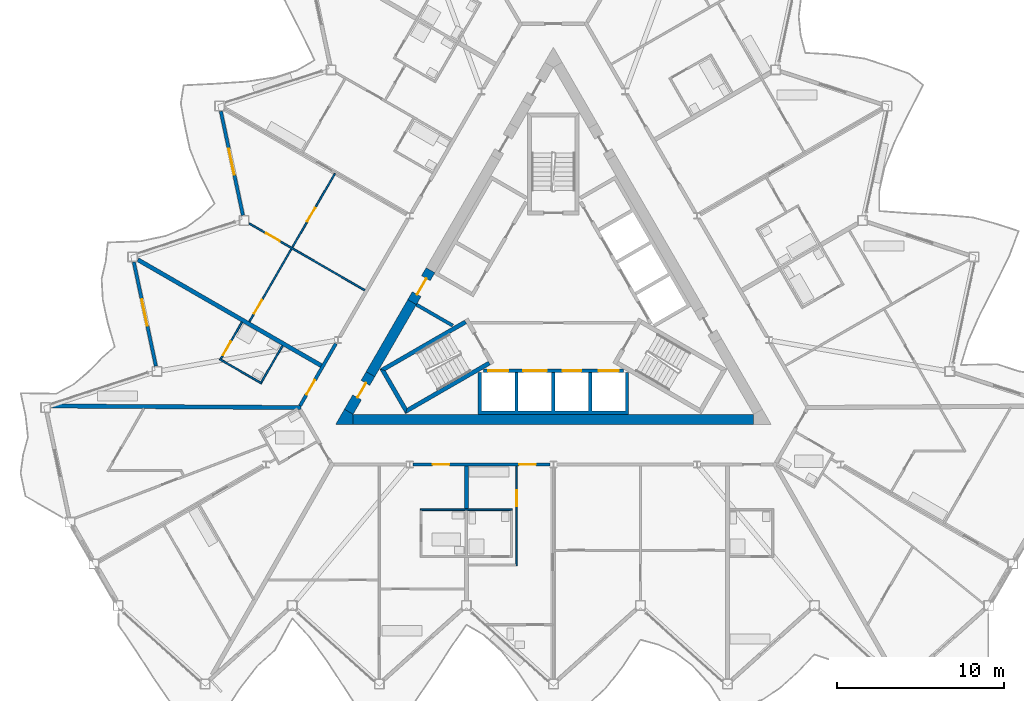
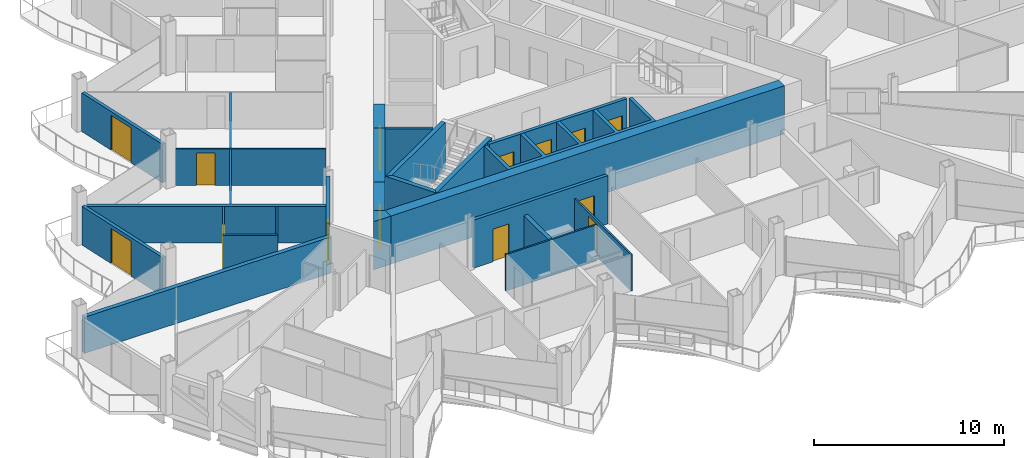
# One storey, part 13 of 26: 25 walls, 16 doors, 16 openings.
"""IFC4 building model written with IfcOpenShell, lengths in metres."""

import ifcopenshell
import ifcopenshell.guid

model = None  # the IFC model being written
_history = None  # IfcOwnerHistory: only IFC2X3 demands one
_inside = {}  # id of a spatial element -> (the spatial element, [elements in it])
_under = {}  # id of a project, library or spatial element -> (it, [spatial elements below it])
_declared = {}  # id of a project -> (the project, [libraries it declares])
_typed = {}  # id of a type object -> (the type object, [elements of that type])
_made_of = {}  # id of a material, layer set ... -> (it, [elements and type objects made of it])


def new_model(schema):
    """Start an empty IFC model of exactly this schema.

    Asked for "IFC4X3", IfcOpenShell would pick the latest addendum, in which some entities
    have other attributes; the version numbers below select the first issue.
    IFC2X3 requires an IfcOwnerHistory on every rooted entity: one is made here for all.
    """
    global model, _history
    if schema == "IFC4X3":
        model = ifcopenshell.file(schema_version=(4, 3, 0, 0))
    else:
        model = ifcopenshell.file(schema=schema)
    _inside.clear()
    _under.clear()
    _declared.clear()
    _typed.clear()
    _made_of.clear()
    _history = None
    if model.schema == "IFC2X3":
        org = make("IfcOrganization", Name="unknown")
        user = make(
            "IfcPersonAndOrganization",
            ThePerson=make("IfcPerson", FamilyName="unknown"),
            TheOrganization=org,
        )
        app = make(
            "IfcApplication",
            ApplicationDeveloper=org,
            Version="unknown",
            ApplicationFullName="unknown",
            ApplicationIdentifier="unknown",
        )
        _history = make(
            "IfcOwnerHistory",
            OwningUser=user,
            OwningApplication=app,
            ChangeAction="ADDED",
            CreationDate=0,
        )
    return model


def make(cls, **values):
    """One entity of the class cls with the attributes given. An attribute that is None is left unset."""
    return model.create_entity(
        cls, **{name: value for name, value in values.items() if value is not None}
    )


def rooted(cls, **values):
    """An entity with a GlobalId (a new one), such as an element, a storey or a relation."""
    return make(cls, GlobalId=ifcopenshell.guid.new(), OwnerHistory=_history, **values)


def si_unit(unit_type, name, prefix=None):
    """IfcSIUnit, for example si_unit("LENGTHUNIT", "METRE", prefix="MILLI")."""
    return make("IfcSIUnit", UnitType=unit_type, Prefix=prefix, Name=name)


def assignment(units):
    """IfcUnitAssignment: the units of a project."""
    return None if units is None else make("IfcUnitAssignment", Units=units)


def point(xyz):
    """IfcCartesianPoint."""
    return None if xyz is None else make("IfcCartesianPoint", Coordinates=xyz)


def direction(xyz):
    """IfcDirection."""
    return None if xyz is None else make("IfcDirection", DirectionRatios=xyz)


def frame(location, z_axis=None, x_axis=None):
    """IfcAxis2Placement3D, a coordinate frame: its origin and axes. An axis left out is left unset."""
    return make(
        "IfcAxis2Placement3D",
        Location=point(location),
        Axis=direction(z_axis),
        RefDirection=direction(x_axis),
    )


def frame_2d(location, x_axis=None):
    """IfcAxis2Placement2D, a coordinate frame in the plane: its origin and x axis."""
    return make(
        "IfcAxis2Placement2D", Location=point(location), RefDirection=direction(x_axis)
    )


def origin():
    """The frame at (0, 0, 0) with its axes left unset."""
    return frame((0.0, 0.0, 0.0))


def place(relative_to, where):
    """IfcLocalPlacement: puts the frame where relative to a parent placement (None: the world)."""
    return make(
        "IfcLocalPlacement", PlacementRelTo=relative_to, RelativePlacement=where
    )


def context(
    kind, dimensions, precision=None, world=None, true_north=None, identifier=None
):
    """IfcGeometricRepresentationContext, for example the 3D "Model" context."""
    return make(
        "IfcGeometricRepresentationContext",
        ContextIdentifier=identifier,
        ContextType=kind,
        CoordinateSpaceDimension=dimensions,
        Precision=precision,
        WorldCoordinateSystem=world,
        TrueNorth=true_north,
    )


def subcontext(parent, identifier, kind, view, scale=None):
    """IfcGeometricRepresentationSubContext, for example "Body" below "Model"."""
    return make(
        "IfcGeometricRepresentationSubContext",
        ContextIdentifier=identifier,
        ContextType=kind,
        ParentContext=parent,
        TargetScale=scale,
        TargetView=view,
    )


def project(units=None, contexts=None):
    """IfcProject with its units and contexts."""
    return rooted(
        "IfcProject",
        Name="project",
        RepresentationContexts=contexts,
        UnitsInContext=assignment(units),
    )


def spatial(cls, under=None, at=None, **own):
    """A site, building, storey or space (cls), placed at a placement, below another one or the project."""
    s = rooted(cls, ObjectPlacement=at, **own)
    if under is not None:
        _under.setdefault(under.id(), (under, []))[1].append(s)
    return s


def polyline(points):
    """IfcPolyline through the points."""
    return make("IfcPolyline", Points=[point(p) for p in points])


def profile(cls, at=None, kind="AREA", **sizes):
    """A parametric profile (cls). Its sizes go by their IFC names, for example OverallWidth=200.0."""
    return make(cls, ProfileType=kind, Position=at, **sizes)


def rectangle(**sizes):
    """IfcRectangleProfileDef."""
    return profile("IfcRectangleProfileDef", **sizes)


def outline(outer, holes=None, kind="AREA"):
    """IfcArbitraryClosedProfileDef: a profile drawn as a closed curve; with holes, ...WithVoids."""
    if holes is None:
        return make("IfcArbitraryClosedProfileDef", ProfileType=kind, OuterCurve=outer)
    return make(
        "IfcArbitraryProfileDefWithVoids",
        ProfileType=kind,
        OuterCurve=outer,
        InnerCurves=holes,
    )


def extrude(swept, where, along, depth):
    """IfcExtrudedAreaSolid: the profile swept, set in the frame where, extruded along a direction by depth."""
    return make(
        "IfcExtrudedAreaSolid",
        SweptArea=swept,
        Position=where,
        ExtrudedDirection=direction(along),
        Depth=depth,
    )


def shape(context_of_items, identifier, shape_type, items):
    """IfcShapeRepresentation: the items that make up one representation, for example the "Body"."""
    return make(
        "IfcShapeRepresentation",
        ContextOfItems=context_of_items,
        RepresentationIdentifier=identifier,
        RepresentationType=shape_type,
        Items=items,
    )


def material(Name=None, Category=None):
    """IfcMaterial."""
    return make("IfcMaterial", Name=Name, Category=Category)


def layer(
    of_material, thickness, ventilated=None, Name=None, Category=None, Priority=None
):
    """IfcMaterialLayer: one layer of a wall or slab, of a material (None: an air gap)."""
    return make(
        "IfcMaterialLayer",
        Material=of_material,
        LayerThickness=thickness,
        IsVentilated=ventilated,
        Name=Name,
        Category=Category,
        Priority=Priority,
    )


def layer_set(layers, Name=None):
    """IfcMaterialLayerSet."""
    return make("IfcMaterialLayerSet", MaterialLayers=layers, LayerSetName=Name)


def made_of(thing, what):
    """Note that an element or type object is made of a material, layer set ...; save() writes the relation."""
    if what is not None:
        _made_of.setdefault(what.id(), (what, []))[1].append(thing)
    return thing


def type_object(cls, material=None, **own):
    """A type object (cls), such as IfcWallType, which elements share."""
    return made_of(rooted(cls, **own), material)


def element(
    cls,
    number,
    at=None,
    inside=None,
    cuts=None,
    type_object=None,
    material=None,
    context=None,
    identifier="Body",
    shape_type=None,
    held_by="IfcProductDefinitionShape",
    body=None,
    shapes=None,
    **own,
):
    """One element of the class cls, such as IfcWall. Its Tag is "e" and its number.

    at: its placement. inside: the storey or other place that contains it. cuts: it is an
    opening in that element (IfcRelVoidsElement). A single representation is given by context,
    identifier, shape_type and body (its items); several are given by shapes. held_by: the class
    of the entity that holds the representations. save() writes the other relations.
    """
    e = rooted(cls, Tag="e%d" % number, ObjectPlacement=at, **own)
    if body is not None:
        shapes = [shape(context, identifier, shape_type, body)]
    if shapes is not None:
        e.Representation = make(held_by, Representations=shapes)
    if inside is not None:
        _inside.setdefault(inside.id(), (inside, []))[1].append(e)
    if cuts is not None:
        rooted(
            "IfcRelVoidsElement", RelatingBuildingElement=cuts, RelatedOpeningElement=e
        )
    if type_object is not None:
        _typed.setdefault(type_object.id(), (type_object, []))[1].append(e)
    return made_of(e, material)


def fill(opening, filler):
    """IfcRelFillsElement: the door or window that sits in an opening."""
    return rooted(
        "IfcRelFillsElement",
        RelatingOpeningElement=opening,
        RelatedBuildingElement=filler,
    )


def aggregate(whole, parts):
    """IfcRelAggregates: a whole, such as a stair, and the parts it consists of."""
    return rooted("IfcRelAggregates", RelatingObject=whole, RelatedObjects=parts)


def save(model, path):
    """Write the relations noted so far, then the file.

    IfcRelAggregates (storeys below a building ...), IfcRelContainedInSpatialStructure (elements
    in a storey), IfcRelDefinesByType, IfcRelAssociatesMaterial and IfcRelDeclares: one each for
    every whole, place, type object, material and project.
    """
    for whole, parts in _under.values():
        aggregate(whole, parts)
    for where, things in _inside.values():
        rooted(
            "IfcRelContainedInSpatialStructure",
            RelatedElements=things,
            RelatingStructure=where,
        )
    for kind, things in _typed.values():
        rooted("IfcRelDefinesByType", RelatedObjects=things, RelatingType=kind)
    for what, things in _made_of.values():
        rooted("IfcRelAssociatesMaterial", RelatedObjects=things, RelatingMaterial=what)
    for by, libraries in _declared.values():
        rooted("IfcRelDeclares", RelatingContext=by, RelatedDefinitions=libraries)
    model.write(path)


model = new_model("IFC4")

# Units and contexts
model_context = context("Model", 3, precision=1e-05, world=origin(), true_north=direction((0.0, 1.0)))
body_context = subcontext(model_context, "Body", "Model", "MODEL_VIEW")
ifc_project = project(units=[si_unit("LENGTHUNIT", "METRE"), si_unit("AREAUNIT", "SQUARE_METRE"), si_unit("VOLUMEUNIT", "CUBIC_METRE"), si_unit("PLANEANGLEUNIT", "RADIAN"), si_unit("MASSUNIT", "GRAM", prefix="KILO")], contexts=[model_context])

# Site, building, storey
site_placement = place(None, origin())
site = spatial("IfcSite", under=ifc_project, at=site_placement, CompositionType="ELEMENT")
building_placement = place(site_placement, origin())
building = spatial("IfcBuilding", under=site, at=building_placement, Name="Cormorant Prow Tower", CompositionType="ELEMENT")
storey_placement = place(building_placement, frame((0.0, 0.0, 342.60009765625)))
storey = spatial("IfcBuildingStorey", under=building, at=storey_placement, Name="L77", CompositionType="ELEMENT", Elevation=342.60009765625)

# Walls
ifc_material_1 = material(Name="Concrete 8000 psi", Category="concrete")
ifc_layer_1 = layer(ifc_material_1, 0.60009765625)
ifc_layer_set_1 = layer_set([ifc_layer_1], Name="Concrete 8000 psi")
wall_type_1 = type_object("IfcWallType", Name="Core shear wall 600", PredefinedType="SHEAR", material=ifc_layer_set_1)
wall_1_placement = place(storey_placement, frame((-11.960693359375, -7.20556640625, 0.0), z_axis=(0.0, 0.0, 1.0), x_axis=(1.0, 0.0, 0.0)))
element("IfcWall", 1, at=wall_1_placement, inside=storey, type_object=wall_type_1, Name="Core wall", PredefinedType="SHEAR", context=body_context, shape_type="SweptSolid", body=[
    extrude(rectangle(XDim=23.92138671875, YDim=0.60009765625, at=frame_2d((11.960693359375, 0.0))), origin(), (0.0, 0.0, 1.0), 3.099853515625),
])
wall_2_placement = place(storey_placement, frame((-8.440185546875, -0.207763671875, 0.0), z_axis=(0.0, 0.0, 1.0), x_axis=(-0.500007425856, -0.866021116422, 0.0)))
element("IfcWall", 2, at=wall_2_placement, inside=storey, type_object=wall_type_1, Name="Core wall", PredefinedType="SHEAR", context=body_context, shape_type="SweptSolid", body=[
    extrude(rectangle(XDim=4.96875, YDim=0.60009765625, at=frame_2d((2.484375, 0.0))), origin(), (0.0, 0.0, 1.0), 3.099853515625),
])
wall_3_placement = place(storey_placement, origin())
element("IfcWall", 3, at=wall_3_placement, inside=storey, type_object=wall_type_1, Name="Core wall corner", PredefinedType="SHEAR", context=body_context, shape_type="SweptSolid", body=[
    extrude(outline(polyline([(-12.48046875, -6.605712890625), (-11.960693359375, -6.905517578125), (-11.960693359375, -7.505615234375), (-13.0, -7.505615234375), (-12.48046875, -6.605712890625)])), origin(), (0.0, 0.0, 1.0), 3.099853515625),
])

# Wall, opening, door
wall_4_placement = place(storey_placement, frame((-10.924560546875, -4.5107421875, 0.0), z_axis=(0.0, 0.0, 1.0), x_axis=(-0.500018667571, -0.866014625789, 0.0)))
wall_4 = element("IfcWall", 4, at=wall_4_placement, inside=storey, type_object=wall_type_1, Name="Core wall door panel", PredefinedType="SHEAR", context=body_context, shape_type="SweptSolid", body=[
    extrude(rectangle(XDim=2.59228515625, YDim=0.60009765625, at=frame_2d((1.296142578125, 0.0))), origin(), (0.0, 0.0, 1.0), 3.099853515625),
])
opening_1_placement = place(wall_4_placement, frame((0.60009765625, 0.0, 0.0)))
opening_1 = element("IfcOpeningElement", 5, at=opening_1_placement, cuts=wall_4, Name="Opening L77-C15", PredefinedType="OPENING", context=body_context, shape_type="SweptSolid", body=[
    extrude(rectangle(XDim=1.0, YDim=2.10009765625, at=frame_2d((0.5, 1.050048828125))), frame((0.0, 0.31005859375, 0.0), z_axis=(0.0, -1.0, 0.0), x_axis=(1.0, 0.0, 0.0)), (0.0, 0.0, 1.0), 0.6201171875),
])
ifc_material_2 = material(Name="Painted steel", Category="steel")
door_type_1 = type_object("IfcDoorType", Name="Service door 1000x2100", OperationType="NOTDEFINED", PredefinedType="DOOR", material=ifc_material_2)
door_1_placement = place(opening_1_placement, origin())
door_1 = element("IfcDoor", 6, at=door_1_placement, inside=storey, type_object=door_type_1, Name="Core door, Electrical room", OperationType="SINGLE_SWING_RIGHT", OverallHeight=2.10009765625, OverallWidth=1.0, PredefinedType="DOOR", context=body_context, shape_type="SweptSolid", body=[
    extrude(rectangle(XDim=1.0, YDim=2.10009765625, at=frame_2d((0.5, 1.050048828125))), frame((0.0, 0.05517578125, 0.0), z_axis=(0.0, -1.0, 0.0), x_axis=(1.0, 0.0, 0.0)), (0.0, 0.0, 1.0), 0.050048828125),
])
fill(opening_1, door_1)

wall_5_placement = place(storey_placement, frame((-7.340087890625, 1.697509765625, 0.0), z_axis=(0.0, 0.0, 1.0), x_axis=(-0.50002983664, -0.866008176907, 0.0)))
wall_5 = element("IfcWall", 7, at=wall_5_placement, inside=storey, type_object=wall_type_1, Name="Core wall door panel", PredefinedType="SHEAR", context=body_context, shape_type="SweptSolid", body=[
    extrude(rectangle(XDim=2.199951171875, YDim=0.60009765625, at=frame_2d((1.10009765625, 0.0))), origin(), (0.0, 0.0, 1.0), 3.099853515625),
])
opening_2_placement = place(wall_5_placement, frame((0.550048828125, 0.0, 0.0)))
opening_2 = element("IfcOpeningElement", 8, at=opening_2_placement, cuts=wall_5, Name="Opening L77-C20", PredefinedType="OPENING", context=body_context, shape_type="SweptSolid", body=[
    extrude(rectangle(XDim=1.10009765625, YDim=2.10009765625, at=frame_2d((0.550048828125, 1.050048828125))), frame((0.0, 0.31005859375, 0.0), z_axis=(0.0, -1.0, 0.0), x_axis=(1.0, 0.0, 0.0)), (0.0, 0.0, 1.0), 0.6201171875),
])
ifc_material_3 = material(Name="Painted steel", Category="steel")
door_type_2 = type_object("IfcDoorType", Name="Core door 1100x2100", OperationType="NOTDEFINED", PredefinedType="DOOR", material=ifc_material_3)
door_2_placement = place(opening_2_placement, origin())
door_2 = element("IfcDoor", 9, at=door_2_placement, inside=storey, type_object=door_type_2, Name="Core door, lift lobby", OperationType="SINGLE_SWING_RIGHT", OverallHeight=2.10009765625, OverallWidth=1.10009765625, PredefinedType="DOOR", context=body_context, shape_type="SweptSolid", body=[
    extrude(rectangle(XDim=1.10009765625, YDim=2.10009765625, at=frame_2d((0.550048828125, 1.050048828125))), frame((0.0, 0.05517578125, 0.0), z_axis=(0.0, -1.0, 0.0), x_axis=(1.0, 0.0, 0.0)), (0.0, 0.0, 1.0), 0.050048828125),
])
fill(opening_2, door_2)

# Wall, openings, doors
ifc_material_4 = material(Name="Gypsum board corridor wall")
ifc_layer_2 = layer(ifc_material_4, 0.199951171875)
ifc_layer_set_2 = layer_set([ifc_layer_2], Name="Gypsum board corridor wall")
wall_type_2 = type_object("IfcWallType", Name="Corridor wall 200", PredefinedType="PARTITIONING", material=ifc_layer_set_2)
wall_6_placement = place(storey_placement, frame((-8.370849609375, -9.905517578125, 0.0), z_axis=(0.0, 0.0, 1.0), x_axis=(1.0, 0.0, 0.0)))
wall_6 = element("IfcWall", 10, at=wall_6_placement, inside=storey, type_object=wall_type_2, Name="Corridor wall", PredefinedType="PARTITIONING", context=body_context, shape_type="SweptSolid", body=[
    extrude(rectangle(XDim=8.1630859375, YDim=0.199951171875, at=frame_2d((4.08154296875, 0.0))), origin(), (0.0, 0.0, 1.0), 3.099853515625),
])
opening_3_placement = place(wall_6_placement, frame((1.15869140625, 0.0, 0.0)))
opening_3 = element("IfcOpeningElement", 11, at=opening_3_placement, cuts=wall_6, Name="Opening L77-F01", PredefinedType="OPENING", context=body_context, shape_type="SweptSolid", body=[
    extrude(rectangle(XDim=1.0, YDim=2.10009765625, at=frame_2d((0.5, 1.050048828125))), frame((0.0, 0.10986328125, 0.0), z_axis=(0.0, -1.0, 0.0), x_axis=(1.0, 0.0, 0.0)), (0.0, 0.0, 1.0), 0.219970703125),
])
opening_4_placement = place(wall_6_placement, frame((6.32666015625, 0.0, 0.0)))
opening_4 = element("IfcOpeningElement", 12, at=opening_4_placement, cuts=wall_6, Name="Opening L77-F06", PredefinedType="OPENING", context=body_context, shape_type="SweptSolid", body=[
    extrude(rectangle(XDim=1.0, YDim=2.10009765625, at=frame_2d((0.5, 1.050048828125))), frame((0.0, 0.10986328125, 0.0), z_axis=(0.0, -1.0, 0.0), x_axis=(1.0, 0.0, 0.0)), (0.0, 0.0, 1.0), 0.219970703125),
])
ifc_material_5 = material(Name="Timber door leaf", Category="wood")
door_type_3 = type_object("IfcDoorType", Name="Flat or room entrance door 1000x2100", OperationType="NOTDEFINED", PredefinedType="DOOR", material=ifc_material_5)
door_3_placement = place(opening_3_placement, origin())
door_3 = element("IfcDoor", 13, at=door_3_placement, inside=storey, type_object=door_type_3, Name="Living room door", OperationType="SINGLE_SWING_RIGHT", OverallHeight=2.10009765625, OverallWidth=1.0, PredefinedType="DOOR", context=body_context, shape_type="SweptSolid", body=[
    extrude(rectangle(XDim=1.0, YDim=2.10009765625, at=frame_2d((0.5, 1.050048828125))), frame((0.0, 0.02490234375, 0.0), z_axis=(0.0, -1.0, 0.0), x_axis=(1.0, 0.0, 0.0)), (0.0, 0.0, 1.0), 0.050048828125),
])
fill(opening_3, door_3)
door_4_placement = place(opening_4_placement, origin())
door_4 = element("IfcDoor", 14, at=door_4_placement, inside=storey, type_object=door_type_3, Name="Living room door", OperationType="SINGLE_SWING_LEFT", OverallHeight=2.10009765625, OverallWidth=1.0, PredefinedType="DOOR", context=body_context, shape_type="SweptSolid", body=[
    extrude(rectangle(XDim=1.0, YDim=2.10009765625, at=frame_2d((0.5, 1.050048828125))), frame((0.0, 0.02490234375, 0.0), z_axis=(0.0, -1.0, 0.0), x_axis=(1.0, 0.0, 0.0)), (0.0, 0.0, 1.0), 0.050048828125),
])
fill(opening_4, door_4)

# Wall, opening, door
wall_7_placement = place(storey_placement, frame((-15.13134765625, -6.397216796875, 0.0), z_axis=(0.0, 0.0, 1.0), x_axis=(0.500003406062, 0.866023437285, 0.0)))
wall_7 = element("IfcWall", 15, at=wall_7_placement, inside=storey, type_object=wall_type_2, Name="Corridor wall", PredefinedType="PARTITIONING", context=body_context, shape_type="SweptSolid", body=[
    extrude(rectangle(XDim=4.28759765625, YDim=0.199951171875, at=frame_2d((2.143798828125, 0.0))), origin(), (0.0, 0.0, 1.0), 3.099853515625),
])
opening_5_placement = place(wall_7_placement, frame((0.76611328125, 0.0, 0.0)))
opening_5 = element("IfcOpeningElement", 16, at=opening_5_placement, cuts=wall_7, Name="Opening L77-F52", PredefinedType="OPENING", context=body_context, shape_type="SweptSolid", body=[
    extrude(rectangle(XDim=1.0, YDim=2.10009765625, at=frame_2d((0.5, 1.050048828125))), frame((0.0, 0.10986328125, 0.0), z_axis=(0.0, -1.0, 0.0), x_axis=(1.0, 0.0, 0.0)), (0.0, 0.0, 1.0), 0.219970703125),
])
door_5_placement = place(opening_5_placement, origin())
door_5 = element("IfcDoor", 17, at=door_5_placement, inside=storey, type_object=door_type_3, Name="Studio living, kitchen and sleeping room door", OperationType="SINGLE_SWING_LEFT", OverallHeight=2.10009765625, OverallWidth=1.0, PredefinedType="DOOR", context=body_context, shape_type="SweptSolid", body=[
    extrude(rectangle(XDim=1.0, YDim=2.10009765625, at=frame_2d((0.5, 1.050048828125))), frame((0.0, 0.02490234375, 0.0), z_axis=(0.0, -1.0, 0.0), x_axis=(1.0, 0.0, 0.0)), (0.0, 0.0, 1.0), 0.050048828125),
])
fill(opening_5, door_5)

# Wall, openings, doors
ifc_material_6 = material(Name="Gypsum board partition")
ifc_layer_3 = layer(ifc_material_6, 0.10009765625)
ifc_layer_set_3 = layer_set([ifc_layer_3], Name="Gypsum board partition")
wall_type_3 = type_object("IfcWallType", Name="Internal partition 100", PredefinedType="PARTITIONING", material=ifc_layer_set_3)
wall_8_placement = place(storey_placement, frame((-18.154296875, -1.37744140625, 0.0), z_axis=(0.0, 0.0, 1.0), x_axis=(0.49998782916, 0.866032430508, 0.0)))
wall_8 = element("IfcWall", 18, at=wall_8_placement, inside=storey, type_object=wall_type_3, Name="Internal partition", PredefinedType="PARTITIONING", context=body_context, shape_type="SweptSolid", body=[
    extrude(rectangle(XDim=10.219970703125, YDim=0.10009765625, at=frame_2d((5.10986328125, 0.0))), origin(), (0.0, 0.0, 1.0), 2.330078125),
])
opening_6_placement = place(wall_8_placement, frame((6.903076171875, 0.0, 0.0)))
opening_6 = element("IfcOpeningElement", 19, at=opening_6_placement, cuts=wall_8, Name="Opening L77-F48", PredefinedType="OPENING", context=body_context, shape_type="SweptSolid", body=[
    extrude(rectangle(XDim=0.949951171875, YDim=2.10009765625, at=frame_2d((0.47509765625, 1.050048828125))), frame((0.0, 0.06005859375, 0.0), z_axis=(0.0, -1.0, 0.0), x_axis=(1.0, 0.0, 0.0)), (0.0, 0.0, 1.0), 0.1201171875),
])
opening_7_placement = place(wall_8_placement, frame((0.552490234375, 0.0, 0.0)))
opening_7 = element("IfcOpeningElement", 20, at=opening_7_placement, cuts=wall_8, Name="Opening L77-F50", PredefinedType="OPENING", context=body_context, shape_type="SweptSolid", body=[
    extrude(rectangle(XDim=0.949951171875, YDim=2.10009765625, at=frame_2d((0.47509765625, 1.050048828125))), frame((0.0, 0.06005859375, 0.0), z_axis=(0.0, -1.0, 0.0), x_axis=(1.0, 0.0, 0.0)), (0.0, 0.0, 1.0), 0.1201171875),
])
ifc_material_7 = material(Name="Timber door leaf", Category="wood")
door_type_4 = type_object("IfcDoorType", Name="Bathroom door 950x2100", OperationType="NOTDEFINED", PredefinedType="DOOR", material=ifc_material_7)
door_6_placement = place(opening_6_placement, origin())
door_6 = element("IfcDoor", 21, at=door_6_placement, inside=storey, type_object=door_type_4, Name="Bedroom door", OperationType="SINGLE_SWING_RIGHT", OverallHeight=2.10009765625, OverallWidth=0.949951171875, PredefinedType="DOOR", context=body_context, shape_type="SweptSolid", body=[
    extrude(rectangle(XDim=0.949951171875, YDim=2.10009765625, at=frame_2d((0.47509765625, 1.050048828125))), frame((0.0, 0.02490234375, 0.0), z_axis=(0.0, -1.0, 0.0), x_axis=(1.0, 0.0, 0.0)), (0.0, 0.0, 1.0), 0.050048828125),
])
fill(opening_6, door_6)
door_7_placement = place(opening_7_placement, origin())
door_7 = element("IfcDoor", 22, at=door_7_placement, inside=storey, type_object=door_type_4, Name="Bedroom door", OperationType="SINGLE_SWING_LEFT", OverallHeight=2.10009765625, OverallWidth=0.949951171875, PredefinedType="DOOR", context=body_context, shape_type="SweptSolid", body=[
    extrude(rectangle(XDim=0.949951171875, YDim=2.10009765625, at=frame_2d((0.47509765625, 1.050048828125))), frame((0.0, 0.02490234375, 0.0), z_axis=(0.0, -1.0, 0.0), x_axis=(1.0, 0.0, 0.0)), (0.0, 0.0, 1.0), 0.050048828125),
])
fill(opening_7, door_7)

# Wall, opening, door
wall_9_placement = place(storey_placement, frame((-18.160888671875, 4.483642578125, 0.0), z_axis=(0.0, 0.0, 1.0), x_axis=(0.86602732995, -0.499996663769, 0.0)))
wall_9 = element("IfcWall", 23, at=wall_9_placement, inside=storey, type_object=wall_type_3, Name="Internal partition", PredefinedType="PARTITIONING", context=body_context, shape_type="SweptSolid", body=[
    extrude(rectangle(XDim=7.9638671875, YDim=0.10009765625, at=frame_2d((3.98193359375, 0.0))), origin(), (0.0, 0.0, 1.0), 2.330078125),
])
opening_8_placement = place(wall_9_placement, frame((1.15185546875, 0.0, 0.0)))
opening_8 = element("IfcOpeningElement", 24, at=opening_8_placement, cuts=wall_9, Name="Opening L77-F49", PredefinedType="OPENING", context=body_context, shape_type="SweptSolid", body=[
    extrude(rectangle(XDim=0.949951171875, YDim=2.10009765625, at=frame_2d((0.47509765625, 1.050048828125))), frame((0.0, 0.06005859375, 0.0), z_axis=(0.0, -1.0, 0.0), x_axis=(1.0, 0.0, 0.0)), (0.0, 0.0, 1.0), 0.1201171875),
])
door_8_placement = place(opening_8_placement, origin())
door_8 = element("IfcDoor", 25, at=door_8_placement, inside=storey, type_object=door_type_4, Name="Bedroom door", OperationType="SINGLE_SWING_RIGHT", OverallHeight=2.10009765625, OverallWidth=0.949951171875, PredefinedType="DOOR", context=body_context, shape_type="SweptSolid", body=[
    extrude(rectangle(XDim=0.949951171875, YDim=2.10009765625, at=frame_2d((0.47509765625, 1.050048828125))), frame((0.0, 0.02490234375, 0.0), z_axis=(0.0, -1.0, 0.0), x_axis=(1.0, 0.0, 0.0)), (0.0, 0.0, 1.0), 0.050048828125),
])
fill(opening_8, door_8)

wall_10_placement = place(storey_placement, frame((-2.197509765625, -15.95556640625, 0.0), z_axis=(0.0, 0.0, 1.0), x_axis=(0.0, 1.0, 0.0)))
wall_10 = element("IfcWall", 26, at=wall_10_placement, inside=storey, type_object=wall_type_3, Name="Internal partition", PredefinedType="PARTITIONING", context=body_context, shape_type="SweptSolid", body=[
    extrude(rectangle(XDim=5.949951171875, YDim=0.10009765625, at=frame_2d((2.97509765625, 0.0))), origin(), (0.0, 0.0, 1.0), 2.330078125),
])
opening_9_placement = place(wall_10_placement, frame((3.550048828125, 0.0, 0.0)))
opening_9 = element("IfcOpeningElement", 27, at=opening_9_placement, cuts=wall_10, Name="Opening L77-F08", PredefinedType="OPENING", context=body_context, shape_type="SweptSolid", body=[
    extrude(rectangle(XDim=0.949951171875, YDim=2.10009765625, at=frame_2d((0.47509765625, 1.050048828125))), frame((0.0, 0.06005859375, 0.0), z_axis=(0.0, -1.0, 0.0), x_axis=(1.0, 0.0, 0.0)), (0.0, 0.0, 1.0), 0.1201171875),
])
door_9_placement = place(opening_9_placement, origin())
door_9 = element("IfcDoor", 28, at=door_9_placement, inside=storey, type_object=door_type_4, Name="Living room door", OperationType="SINGLE_SWING_LEFT", OverallHeight=2.10009765625, OverallWidth=0.949951171875, PredefinedType="DOOR", context=body_context, shape_type="SweptSolid", body=[
    extrude(rectangle(XDim=0.949951171875, YDim=2.10009765625, at=frame_2d((0.47509765625, 1.050048828125))), frame((0.0, 0.02490234375, 0.0), z_axis=(0.0, -1.0, 0.0), x_axis=(1.0, 0.0, 0.0)), (0.0, 0.0, 1.0), 0.050048828125),
])
fill(opening_9, door_9)

# Walls
wall_11_placement = place(storey_placement, frame((-7.947509765625, -12.605712890625, 0.0), z_axis=(0.0, 0.0, 1.0), x_axis=(1.0, 0.0, 0.0)))
element("IfcWall", 29, at=wall_11_placement, inside=storey, type_object=wall_type_3, Name="Internal partition", PredefinedType="PARTITIONING", context=body_context, shape_type="SweptSolid", body=[
    extrude(rectangle(XDim=5.5, YDim=0.10009765625, at=frame_2d((2.75, 0.0))), origin(), (0.0, 0.0, 1.0), 2.330078125),
])
wall_12_placement = place(storey_placement, frame((-19.932373046875, -3.61279296875, 0.0), z_axis=(0.0, 0.0, 1.0), x_axis=(0.865996321171, -0.50005036918, 0.0)))
element("IfcWall", 30, at=wall_12_placement, inside=storey, type_object=wall_type_3, Name="Internal partition", PredefinedType="PARTITIONING", context=body_context, shape_type="SweptSolid", body=[
    extrude(rectangle(XDim=2.900146484375, YDim=0.10009765625, at=frame_2d((1.4501953125, 0.0))), origin(), (0.0, 0.0, 1.0), 2.330078125),
])
wall_13_placement = place(storey_placement, frame((-17.439208984375, -4.99462890625, 0.0), z_axis=(0.0, 0.0, 1.0), x_axis=(0.499976333282, 0.866039067339, 0.0)))
element("IfcWall", 31, at=wall_13_placement, inside=storey, type_object=wall_type_3, Name="Internal partition", PredefinedType="PARTITIONING", context=body_context, shape_type="SweptSolid", body=[
    extrude(rectangle(XDim=2.52490234375, YDim=0.10009765625, at=frame_2d((1.262451171875, 0.0))), origin(), (0.0, 0.0, 1.0), 2.330078125),
])

# Wall, opening, door
wall_14_placement = place(storey_placement, frame((-19.864013671875, -3.594482421875, 0.0), z_axis=(0.0, 0.0, 1.0), x_axis=(0.50001820224, 0.866014894461, 0.0)))
wall_14 = element("IfcWall", 32, at=wall_14_placement, inside=storey, type_object=wall_type_3, Name="Internal partition", PredefinedType="PARTITIONING", context=body_context, shape_type="SweptSolid", body=[
    extrude(rectangle(XDim=2.52490234375, YDim=0.10009765625, at=frame_2d((1.262451171875, 0.0))), origin(), (0.0, 0.0, 1.0), 2.330078125),
])
opening_10_placement = place(wall_14_placement, frame((0.25, 0.0, 0.0)))
opening_10 = element("IfcOpeningElement", 33, at=opening_10_placement, cuts=wall_14, Name="Opening L77-F53", PredefinedType="OPENING", context=body_context, shape_type="SweptSolid", body=[
    extrude(rectangle(XDim=0.949951171875, YDim=2.10009765625, at=frame_2d((0.47509765625, 1.050048828125))), frame((0.0, 0.06005859375, 0.0), z_axis=(0.0, -1.0, 0.0), x_axis=(1.0, 0.0, 0.0)), (0.0, 0.0, 1.0), 0.1201171875),
])
door_10_placement = place(opening_10_placement, origin())
door_10 = element("IfcDoor", 34, at=door_10_placement, inside=storey, type_object=door_type_4, Name="Studio living, kitchen and sleeping room door", OperationType="SINGLE_SWING_LEFT", OverallHeight=2.10009765625, OverallWidth=0.949951171875, PredefinedType="DOOR", context=body_context, shape_type="SweptSolid", body=[
    extrude(rectangle(XDim=0.949951171875, YDim=2.10009765625, at=frame_2d((0.47509765625, 1.050048828125))), frame((0.0, 0.02490234375, 0.0), z_axis=(0.0, -1.0, 0.0), x_axis=(1.0, 0.0, 0.0)), (0.0, 0.0, 1.0), 0.050048828125),
])
fill(opening_10, door_10)

# Wall, openings, doors
ifc_material_8 = material(Name="Concrete 5000 psi", Category="concrete")
ifc_layer_4 = layer(ifc_material_8, 0.199951171875)
ifc_layer_set_4 = layer_set([ifc_layer_4], Name="Concrete 5000 psi")
wall_type_4 = type_object("IfcWallType", Name="Lift lobby wall 200", PredefinedType="SOLIDWALL", material=ifc_layer_set_4)
wall_15_placement = place(storey_placement, frame((-4.1865234375, -4.300048828125, 0.0), z_axis=(0.0, 0.0, 1.0), x_axis=(1.0, 0.0, 0.0)))
wall_15 = element("IfcWall", 35, at=wall_15_placement, inside=storey, type_object=wall_type_4, Name="Lift lobby wall, S block", PredefinedType="SOLIDWALL", context=body_context, shape_type="SweptSolid", body=[
    extrude(rectangle(XDim=8.373046875, YDim=0.199951171875, at=frame_2d((4.1865234375, 0.0))), origin(), (0.0, 0.0, 1.0), 3.099853515625),
])
opening_11_placement = place(wall_15_placement, frame((0.28662109375, 0.0, 0.0)))
opening_11 = element("IfcOpeningElement", 36, at=opening_11_placement, cuts=wall_15, Name="Opening L77-C01", PredefinedType="OPENING", context=body_context, shape_type="SweptSolid", body=[
    extrude(rectangle(XDim=1.199951171875, YDim=2.10009765625, at=frame_2d((0.60009765625, 1.050048828125))), frame((0.0, 0.10986328125, 0.0), z_axis=(0.0, -1.0, 0.0), x_axis=(1.0, 0.0, 0.0)), (0.0, 0.0, 1.0), 0.219970703125),
])
opening_12_placement = place(wall_15_placement, frame((2.38671875, 0.0, 0.0)))
opening_12 = element("IfcOpeningElement", 37, at=opening_12_placement, cuts=wall_15, Name="Opening L77-C02", PredefinedType="OPENING", context=body_context, shape_type="SweptSolid", body=[
    extrude(rectangle(XDim=1.39990234375, YDim=2.10009765625, at=frame_2d((0.699951171875, 1.050048828125))), frame((0.0, 0.10986328125, 0.0), z_axis=(0.0, -1.0, 0.0), x_axis=(1.0, 0.0, 0.0)), (0.0, 0.0, 1.0), 0.219970703125),
])
opening_13_placement = place(wall_15_placement, frame((4.736572265625, 0.0, 0.0)))
opening_13 = element("IfcOpeningElement", 38, at=opening_13_placement, cuts=wall_15, Name="Opening L77-C03", PredefinedType="OPENING", context=body_context, shape_type="SweptSolid", body=[
    extrude(rectangle(XDim=1.10009765625, YDim=2.10009765625, at=frame_2d((0.550048828125, 1.050048828125))), frame((0.0, 0.10986328125, 0.0), z_axis=(0.0, -1.0, 0.0), x_axis=(1.0, 0.0, 0.0)), (0.0, 0.0, 1.0), 0.219970703125),
])
opening_14_placement = place(wall_15_placement, frame((6.88671875, 0.0, 0.0)))
opening_14 = element("IfcOpeningElement", 39, at=opening_14_placement, cuts=wall_15, Name="Opening L77-C04", PredefinedType="OPENING", context=body_context, shape_type="SweptSolid", body=[
    extrude(rectangle(XDim=1.199951171875, YDim=2.10009765625, at=frame_2d((0.60009765625, 1.050048828125))), frame((0.0, 0.10986328125, 0.0), z_axis=(0.0, -1.0, 0.0), x_axis=(1.0, 0.0, 0.0)), (0.0, 0.0, 1.0), 0.219970703125),
])
ifc_material_9 = material(Name="Painted steel", Category="steel")
door_type_5 = type_object("IfcDoorType", Name="Firefighting lift landing door 1200x2100", OperationType="SLIDING_TO_LEFT", PredefinedType="DOOR", material=ifc_material_9)
door_11_placement = place(opening_11_placement, origin())
door_11 = element("IfcDoor", 40, at=door_11_placement, inside=storey, type_object=door_type_5, Name="Landing door FL1", OperationType="SLIDING_TO_LEFT", OverallHeight=2.10009765625, OverallWidth=1.199951171875, PredefinedType="DOOR", context=body_context, shape_type="SweptSolid", body=[
    extrude(rectangle(XDim=1.199951171875, YDim=2.10009765625, at=frame_2d((0.60009765625, 1.050048828125))), frame((0.0, 0.02490234375, 0.0), z_axis=(0.0, -1.0, 0.0), x_axis=(1.0, 0.0, 0.0)), (0.0, 0.0, 1.0), 0.050048828125),
])
fill(opening_11, door_11)
door_12_placement = place(opening_14_placement, origin())
door_12 = element("IfcDoor", 41, at=door_12_placement, inside=storey, type_object=door_type_5, Name="Landing door FL2", OperationType="SLIDING_TO_LEFT", OverallHeight=2.10009765625, OverallWidth=1.199951171875, PredefinedType="DOOR", context=body_context, shape_type="SweptSolid", body=[
    extrude(rectangle(XDim=1.199951171875, YDim=2.10009765625, at=frame_2d((0.60009765625, 1.050048828125))), frame((0.0, 0.02490234375, 0.0), z_axis=(0.0, -1.0, 0.0), x_axis=(1.0, 0.0, 0.0)), (0.0, 0.0, 1.0), 0.050048828125),
])
fill(opening_14, door_12)
ifc_material_10 = material(Name="Painted steel", Category="steel")
door_type_6 = type_object("IfcDoorType", Name="Lift landing door 1100x2100", OperationType="SLIDING_TO_LEFT", PredefinedType="DOOR", material=ifc_material_10)
door_13_placement = place(opening_13_placement, origin())
door_13 = element("IfcDoor", 42, at=door_13_placement, inside=storey, type_object=door_type_6, Name="Landing door HR1", OperationType="SLIDING_TO_LEFT", OverallHeight=2.10009765625, OverallWidth=1.10009765625, PredefinedType="DOOR", context=body_context, shape_type="SweptSolid", body=[
    extrude(rectangle(XDim=1.10009765625, YDim=2.10009765625, at=frame_2d((0.550048828125, 1.050048828125))), frame((0.0, 0.02490234375, 0.0), z_axis=(0.0, -1.0, 0.0), x_axis=(1.0, 0.0, 0.0)), (0.0, 0.0, 1.0), 0.050048828125),
])
fill(opening_13, door_13)
ifc_material_11 = material(Name="Painted steel", Category="steel")
door_type_7 = type_object("IfcDoorType", Name="Service lift landing door 1400x2100", OperationType="SLIDING_TO_LEFT", PredefinedType="DOOR", material=ifc_material_11)
door_14_placement = place(opening_12_placement, origin())
door_14 = element("IfcDoor", 43, at=door_14_placement, inside=storey, type_object=door_type_7, Name="Landing door SL1", OperationType="SLIDING_TO_LEFT", OverallHeight=2.10009765625, OverallWidth=1.39990234375, PredefinedType="DOOR", context=body_context, shape_type="SweptSolid", body=[
    extrude(rectangle(XDim=1.39990234375, YDim=2.10009765625, at=frame_2d((0.699951171875, 1.050048828125))), frame((0.0, 0.02490234375, 0.0), z_axis=(0.0, -1.0, 0.0), x_axis=(1.0, 0.0, 0.0)), (0.0, 0.0, 1.0), 0.050048828125),
])
fill(opening_12, door_14)

# Walls
ifc_material_12 = material(Name="Concrete 8000 psi", Category="concrete")
ifc_layer_5 = layer(ifc_material_12, 0.199951171875)
ifc_layer_set_5 = layer_set([ifc_layer_5], Name="Concrete 8000 psi")
wall_type_5 = type_object("IfcWallType", Name="Lift shaft wall 200", PredefinedType="SHEAR", material=ifc_layer_set_5)
wall_16_placement = place(storey_placement, origin())
element("IfcWall", 44, at=wall_16_placement, inside=storey, type_object=wall_type_5, Name="Lift shaft walls, S block", PredefinedType="SHEAR", context=body_context, shape_type="SweptSolid", body=[
    extrude(outline(polyline([(4.5, -4.39990234375), (4.5, -6.906005859375), (-4.5, -6.906005859375), (-4.5, -4.39990234375), (-4.300048828125, -4.39990234375), (-4.300048828125, -6.699951171875), (-2.300048828125, -6.699951171875), (-2.300048828125, -4.39990234375), (-2.10009765625, -4.39990234375), (-2.10009765625, -6.699951171875), (-0.10009765625, -6.699951171875), (-0.10009765625, -4.39990234375), (0.10009765625, -4.39990234375), (0.10009765625, -6.699951171875), (2.10009765625, -6.699951171875), (2.10009765625, -4.39990234375), (2.300048828125, -4.39990234375), (2.300048828125, -6.699951171875), (4.300048828125, -6.699951171875), (4.300048828125, -4.39990234375), (4.5, -4.39990234375)])), origin(), (0.0, 0.0, 1.0), 3.099853515625),
])
wall_17_placement = place(storey_placement, origin())
element("IfcWall", 45, at=wall_17_placement, inside=storey, type_object=wall_type_5, Name="Lift shaft walls, WNW block", PredefinedType="SHEAR", context=body_context, shape_type="SweptSolid", body=[
    extrude(outline(polyline([(-6.060546875, -1.697021484375), (-8.230712890625, -0.444091796875), (-8.130859375, -0.27099609375), (-5.96044921875, -1.52392578125), (-6.060546875, -1.697021484375)])), origin(), (0.0, 0.0, 1.0), 3.099853515625),
])
ifc_material_13 = material(Name="Concrete 8000 psi", Category="concrete")
ifc_layer_6 = layer(ifc_material_13, 0.25)
ifc_layer_set_6 = layer_set([ifc_layer_6], Name="Concrete 8000 psi")
wall_type_6 = type_object("IfcWallType", Name="Stair wall 250", PredefinedType="SHEAR", material=ifc_layer_set_6)
wall_18_placement = place(storey_placement, origin())
element("IfcWall", 46, at=wall_18_placement, inside=storey, type_object=wall_type_6, Name="Stair ST1 enclosure wall (flank)", PredefinedType="SHEAR", context=body_context, shape_type="SweptSolid", body=[
    extrude(outline(polyline([(-5.30712890625, -1.28125), (-10.37353515625, -4.206298828125), (-10.031982421875, -4.2978515625), (-5.18212890625, -1.497802734375), (-5.30712890625, -1.28125)])), origin(), (0.0, 0.0, 1.0), 3.099853515625),
])
wall_19_placement = place(storey_placement, origin())
element("IfcWall", 47, at=wall_19_placement, inside=storey, type_object=wall_type_6, Name="Stair ST1 enclosure wall (end)", PredefinedType="SHEAR", context=body_context, shape_type="SweptSolid", body=[
    extrude(outline(polyline([(-10.37353515625, -4.206298828125), (-8.82958984375, -6.880615234375), (-8.738037109375, -6.5390625), (-10.031982421875, -4.2978515625), (-10.37353515625, -4.206298828125)])), origin(), (0.0, 0.0, 1.0), 3.099853515625),
])
wall_20_placement = place(storey_placement, origin())
element("IfcWall", 48, at=wall_20_placement, inside=storey, type_object=wall_type_6, Name="Stair ST1 enclosure wall (flank)", PredefinedType="SHEAR", context=body_context, shape_type="SweptSolid", body=[
    extrude(outline(polyline([(-8.738037109375, -6.5390625), (-8.82958984375, -6.880615234375), (-3.76318359375, -3.95556640625), (-3.88818359375, -3.739013671875), (-8.738037109375, -6.5390625)])), origin(), (0.0, 0.0, 1.0), 3.099853515625),
])
ifc_material_14 = material(Name="Acoustic gypsum party wall")
ifc_layer_7 = layer(ifc_material_14, 0.25)
ifc_layer_set_7 = layer_set([ifc_layer_7], Name="Acoustic gypsum party wall")
wall_type_7 = type_object("IfcWallType", Name="Suite party wall 250", PredefinedType="PARTITIONING", material=ifc_layer_set_7)
wall_21_placement = place(storey_placement, frame((-30.013671875, -6.41015625, 0.0), z_axis=(0.0, 0.0, 1.0), x_axis=(0.999979286789, -0.00643630279, 0.0)))
element("IfcWall", 49, at=wall_21_placement, inside=storey, type_object=wall_type_7, Name="Suite party wall", PredefinedType="PARTITIONING", context=body_context, shape_type="SweptSolid", body=[
    extrude(rectangle(XDim=14.945068359375, YDim=0.25, at=frame_2d((7.47265625, 0.0))), origin(), (0.0, 0.0, 1.0), 2.330078125),
])
wall_22_placement = place(storey_placement, frame((-24.814697265625, 2.323486328125, 0.0), z_axis=(0.0, 0.0, 1.0), x_axis=(0.866033203648, -0.499986489997, 0.0)))
element("IfcWall", 50, at=wall_22_placement, inside=storey, type_object=wall_type_7, Name="Suite party wall", PredefinedType="PARTITIONING", context=body_context, shape_type="SweptSolid", body=[
    extrude(rectangle(XDim=12.646240234375, YDim=0.25, at=frame_2d((6.3232421875, 0.0))), origin(), (0.0, 0.0, 1.0), 2.330078125),
])
wall_23_placement = place(storey_placement, frame((-5.197509765625, -12.5556640625, 0.0), z_axis=(0.0, 0.0, 1.0), x_axis=(0.0, 1.0, 0.0)))
element("IfcWall", 51, at=wall_23_placement, inside=storey, type_object=wall_type_7, Name="Suite party wall", PredefinedType="PARTITIONING", context=body_context, shape_type="SweptSolid", body=[
    extrude(rectangle(XDim=2.550048828125, YDim=0.25, at=frame_2d((1.27490234375, 0.0))), origin(), (0.0, 0.0, 1.0), 2.330078125),
])

# Wall, opening, door
ifc_material_15 = material(Name="Terracotta", Category="masonry")
ifc_layer_8 = layer(ifc_material_15, 0.199951171875)
ifc_layer_set_8 = layer_set([ifc_layer_8], Name="Terracotta")
wall_type_8 = type_object("IfcWallType", Name="Terracotta jamb wall 200", PredefinedType="SOLIDWALL", material=ifc_layer_set_8)
wall_24_placement = place(storey_placement, frame((-19.8603515625, 11.1875, 0.0), z_axis=(0.0, 0.0, 1.0), x_axis=(0.20789003057, -0.978152204511, 0.0)))
wall_24 = element("IfcWall", 52, at=wall_24_placement, inside=storey, type_object=wall_type_8, Name="Terracotta jamb wall WNW05", PredefinedType="SOLIDWALL", context=body_context, shape_type="SweptSolid", body=[
    extrude(rectangle(XDim=6.3486328125, YDim=0.199951171875, at=frame_2d((3.17431640625, 0.0))), origin(), (0.0, 0.0, 1.0), 2.48779296875),
])
opening_15_placement = place(wall_24_placement, frame((2.28173828125, 0.0, 0.0)))
opening_15 = element("IfcOpeningElement", 53, at=opening_15_placement, cuts=wall_24, Name="Opening ED77.13", PredefinedType="OPENING", context=body_context, shape_type="SweptSolid", body=[
    extrude(rectangle(XDim=1.60009765625, YDim=2.25, at=frame_2d((0.800048828125, 1.125))), frame((0.0, 0.10986328125, 0.0), z_axis=(0.0, -1.0, 0.0), x_axis=(1.0, 0.0, 0.0)), (0.0, 0.0, 1.0), 0.219970703125),
])
ifc_material_16 = material(Name="Aluminium 6063-T6", Category="aluminium")
door_type_8 = type_object("IfcDoorType", Name="Balcony door 1600x2250", OperationType="DOUBLE_DOOR_SINGLE_SWING", PredefinedType="DOOR", material=ifc_material_16)
door_15_placement = place(opening_15_placement, origin())
door_15 = element("IfcDoor", 54, at=door_15_placement, inside=storey, type_object=door_type_8, Name="Balcony door WNW05 ED77.13", OperationType="DOUBLE_DOOR_SINGLE_SWING", OverallHeight=2.25, OverallWidth=1.60009765625, PredefinedType="DOOR", context=body_context, shape_type="SweptSolid", body=[
    extrude(rectangle(XDim=1.60009765625, YDim=2.25, at=frame_2d((0.800048828125, 1.125))), frame((0.0, 0.02490234375, 0.0), z_axis=(0.0, -1.0, 0.0), x_axis=(1.0, 0.0, 0.0)), (0.0, 0.0, 1.0), 0.050048828125),
])
fill(opening_15, door_15)

wall_25_placement = place(storey_placement, frame((-25.057373046875, 2.182373046875, 0.0), z_axis=(0.0, 0.0, 1.0), x_axis=(0.207926823578, -0.978144384044, 0.0)))
wall_25 = element("IfcWall", 55, at=wall_25_placement, inside=storey, type_object=wall_type_8, Name="Terracotta jamb wall WNW07", PredefinedType="SOLIDWALL", context=body_context, shape_type="SweptSolid", body=[
    extrude(rectangle(XDim=6.3486328125, YDim=0.199951171875, at=frame_2d((3.17431640625, 0.0))), origin(), (0.0, 0.0, 1.0), 2.48779296875),
])
opening_16_placement = place(wall_25_placement, frame((2.279052734375, 0.0, 0.0)))
opening_16 = element("IfcOpeningElement", 56, at=opening_16_placement, cuts=wall_25, Name="Opening ED77.14", PredefinedType="OPENING", context=body_context, shape_type="SweptSolid", body=[
    extrude(rectangle(XDim=1.60009765625, YDim=2.25, at=frame_2d((0.800048828125, 1.125))), frame((0.0, 0.10986328125, 0.0), z_axis=(0.0, -1.0, 0.0), x_axis=(1.0, 0.0, 0.0)), (0.0, 0.0, 1.0), 0.219970703125),
])
door_16_placement = place(opening_16_placement, origin())
door_16 = element("IfcDoor", 57, at=door_16_placement, inside=storey, type_object=door_type_8, Name="Balcony door WNW07 ED77.14", OperationType="DOUBLE_DOOR_SINGLE_SWING", OverallHeight=2.25, OverallWidth=1.60009765625, PredefinedType="DOOR", context=body_context, shape_type="SweptSolid", body=[
    extrude(rectangle(XDim=1.60009765625, YDim=2.25, at=frame_2d((0.800048828125, 1.125))), frame((0.0, 0.02490234375, 0.0), z_axis=(0.0, -1.0, 0.0), x_axis=(1.0, 0.0, 0.0)), (0.0, 0.0, 1.0), 0.050048828125),
])
fill(opening_16, door_16)

save(model, "model.ifc")
